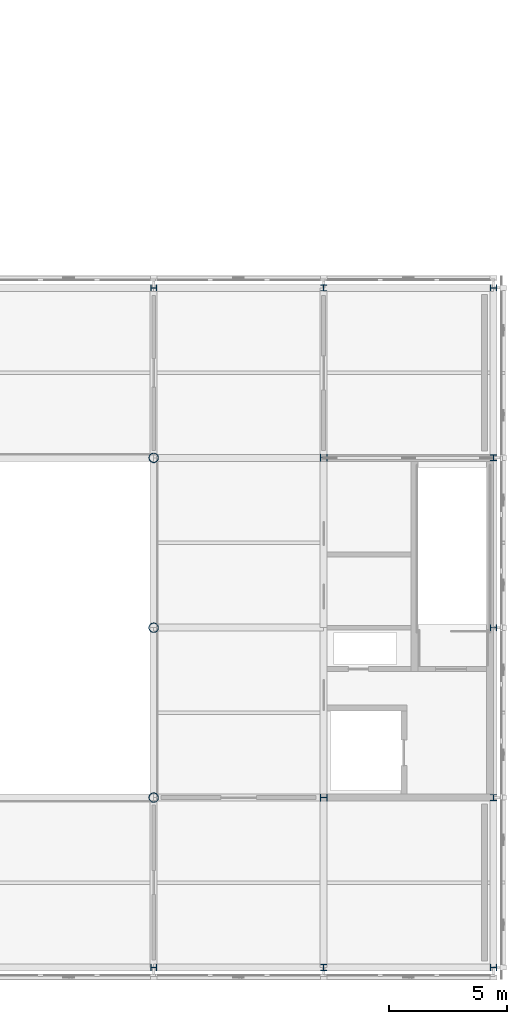
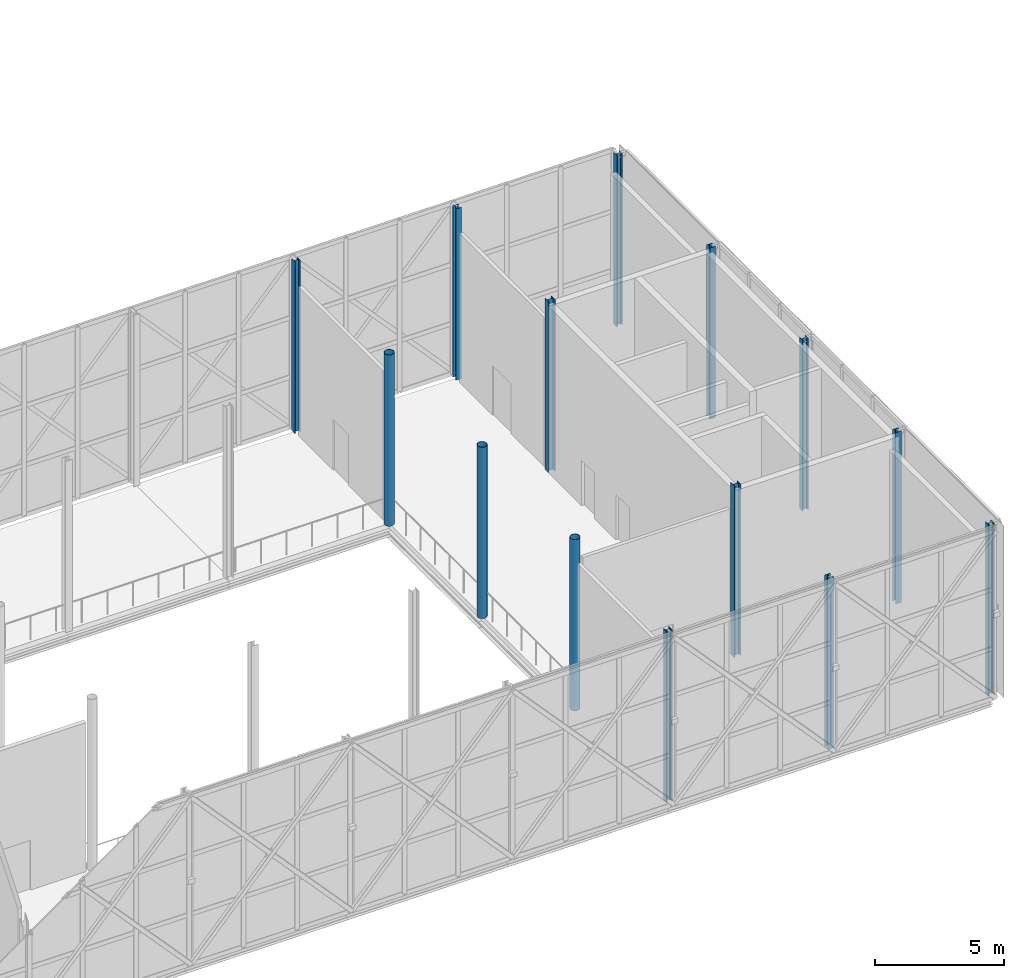
# One storey, part 3 of 76: 14 columns.
"""IFC4 building model written with IfcOpenShell, lengths in metres."""

from ifc_helpers import new_model, si_unit, direction, frame, origin, origin_2d, place, context, subcontext, project, spatial, hollow_circle, i_section, extrude, material, material_profile, profile_set, type_object, element, save


model = new_model("IFC4")

# Units and contexts
model_context = context("Model", 3, precision=1e-05, world=origin(), true_north=direction((0.0, 1.0)))
body_context = subcontext(model_context, "Body", "Model", "MODEL_VIEW")
ifc_project = project(units=[si_unit("LENGTHUNIT", "METRE"), si_unit("AREAUNIT", "SQUARE_METRE"), si_unit("VOLUMEUNIT", "CUBIC_METRE"), si_unit("PLANEANGLEUNIT", "RADIAN"), si_unit("MASSUNIT", "GRAM", prefix="KILO")], contexts=[model_context])

# Site, building, storey
site_placement = place(None, origin())
site = spatial("IfcSite", under=ifc_project, at=site_placement, CompositionType="ELEMENT")
building_placement = place(site_placement, origin())
building = spatial("IfcBuilding", under=site, at=building_placement, Name="Zlatovets Crest Museum", CompositionType="ELEMENT")
storey_placement = place(building_placement, frame((0.0, 0.0, 17.10009765625)))
storey = spatial("IfcBuildingStorey", under=building, at=storey_placement, Name="L04", CompositionType="ELEMENT", Elevation=17.10009765625)

# Columns
ifc_material = material(Name="Structural steel S355J2", Category="steel")
ifc_material_profile_1 = material_profile(ifc_material, i_section(OverallWidth=0.300048828125, OverallDepth=0.300048828125, WebThickness=0.010986328125, FlangeThickness=0.01904296875, FilletRadius=0.027099609375, at=origin_2d()), Name="HEB 300")
ifc_profile_set_1 = profile_set([ifc_material_profile_1], Name="Structural steel S355J2")
column_type_1 = type_object("IfcColumnType", Name="Col_C-09", PredefinedType="COLUMN", material=ifc_profile_set_1)
for number, where, z_axis, x_axis, name in (
    (1, (100.800048828125, 7.199951171875, 0.0), (0.0, 0.0, 1.0), (0.0, 1.0, 0.0), "V2 L04 Column (100.8, 7.2)"),
    (2, (100.800048828125, 21.60009765625, 0.0), (0.0, 0.0, 1.0), (0.0, 1.0, 0.0), "V2 L04 Column (100.8, 21.6)"),
):
    element("IfcColumn", number, at=place(storey_placement, frame(where, z_axis=z_axis, x_axis=x_axis)), inside=storey, type_object=column_type_1, Name=name, PredefinedType="COLUMN", context=body_context, shape_type="SweptSolid", body=[
        extrude(i_section(OverallWidth=0.300048828125, OverallDepth=0.300048828125, WebThickness=0.010986328125, FlangeThickness=0.01904296875, FilletRadius=0.027099609375, at=origin_2d()), origin(), (0.0, 0.0, 1.0), 8.099853515625),
    ])
ifc_material_profile_2 = material_profile(ifc_material, i_section(OverallWidth=0.260009765625, OverallDepth=0.260009765625, WebThickness=0.010009765625, FlangeThickness=0.017578125, FilletRadius=0.02392578125, at=origin_2d()), Name="HEB 260")
ifc_profile_set_2 = profile_set([ifc_material_profile_2], Name="Structural steel S355J2")
column_type_2 = type_object("IfcColumnType", Name="Col_C-10", PredefinedType="COLUMN", material=ifc_profile_set_2)
for number, where, z_axis, x_axis, name in (
    (3, (93.60009765625, 0.0, 0.0), (0.0, 0.0, 1.0), (0.0, 1.0, 0.0), "V2 L04 Column (93.6, 0.0)"),
    (4, (93.60009765625, 28.800048828125, 0.0), (0.0, 0.0, 1.0), (0.0, 1.0, 0.0), "V2 L04 Column (93.6, 28.8)"),
    (5, (100.800048828125, 0.0, 0.0), (0.0, 0.0, 1.0), (1.0, 0.0, 0.0), "V2 L04 Column (100.8, 0.0)"),
    (6, (100.800048828125, 28.800048828125, 0.0), (0.0, 0.0, 1.0), (1.0, 0.0, 0.0), "V2 L04 Column (100.8, 28.8)"),
    (7, (108.0, 0.0, 0.0), (0.0, 0.0, 1.0), (0.0, 1.0, 0.0), "V2 L04 Column (108.0, 0.0)"),
    (8, (108.0, 7.199951171875, 0.0), (0.0, 0.0, 1.0), (1.0, 0.0, 0.0), "V2 L04 Column (108.0, 7.2)"),
    (9, (108.0, 14.39990234375, 0.0), (0.0, 0.0, 1.0), (0.0, 1.0, 0.0), "V2 L04 Column (108.0, 14.4)"),
    (10, (108.0, 21.60009765625, 0.0), (0.0, 0.0, 1.0), (1.0, 0.0, 0.0), "V2 L04 Column (108.0, 21.6)"),
    (11, (108.0, 28.800048828125, 0.0), (0.0, 0.0, 1.0), (0.0, 1.0, 0.0), "V2 L04 Column (108.0, 28.8)"),
):
    element("IfcColumn", number, at=place(storey_placement, frame(where, z_axis=z_axis, x_axis=x_axis)), inside=storey, type_object=column_type_2, Name=name, PredefinedType="COLUMN", context=body_context, shape_type="SweptSolid", body=[
        extrude(i_section(OverallWidth=0.260009765625, OverallDepth=0.260009765625, WebThickness=0.010009765625, FlangeThickness=0.017578125, FilletRadius=0.02392578125, at=origin_2d()), origin(), (0.0, 0.0, 1.0), 8.099853515625),
    ])
ifc_material_profile_3 = material_profile(ifc_material, hollow_circle(Radius=0.203125, WallThickness=0.01611328125, at=origin_2d()), Name="CHS 406.4x16.0")
ifc_profile_set_3 = profile_set([ifc_material_profile_3], Name="Structural steel S355J2")
column_type_3 = type_object("IfcColumnType", Name="Col_C-12", PredefinedType="COLUMN", material=ifc_profile_set_3)
for number, where, z_axis, x_axis, name in (
    (12, (93.60009765625, 7.199951171875, 0.0), (0.0, 0.0, 1.0), (1.0, 0.0, 0.0), "V2 L04 Column (93.6, 7.2)"),
    (13, (93.60009765625, 14.39990234375, 0.0), (0.0, 0.0, 1.0), (0.0, 1.0, 0.0), "V2 L04 Column (93.6, 14.4)"),
    (14, (93.60009765625, 21.60009765625, 0.0), (0.0, 0.0, 1.0), (1.0, 0.0, 0.0), "V2 L04 Column (93.6, 21.6)"),
):
    element("IfcColumn", number, at=place(storey_placement, frame(where, z_axis=z_axis, x_axis=x_axis)), inside=storey, type_object=column_type_3, Name=name, PredefinedType="COLUMN", context=body_context, shape_type="SweptSolid", body=[
        extrude(hollow_circle(Radius=0.203125, WallThickness=0.01611328125, at=origin_2d()), origin(), (0.0, 0.0, 1.0), 8.099853515625),
    ])

save(model, "model.ifc")
